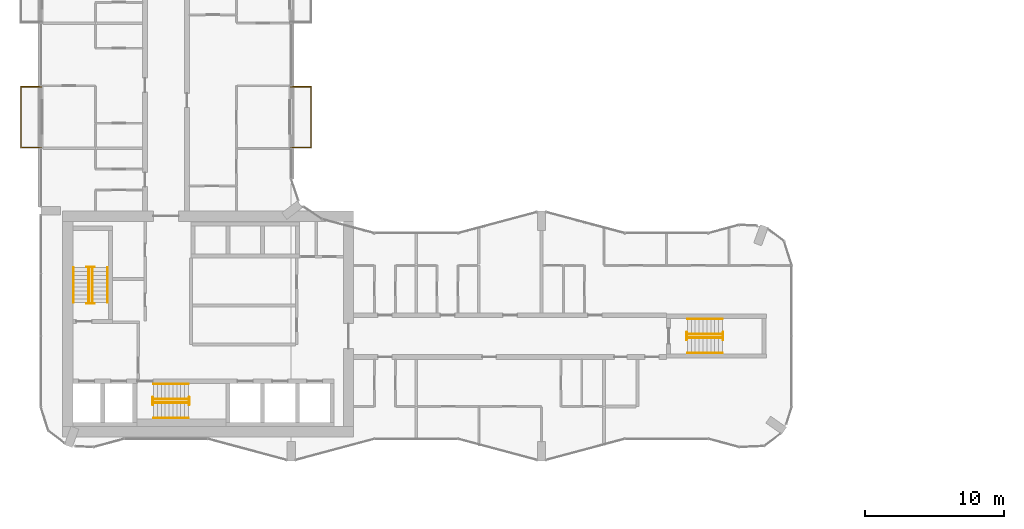
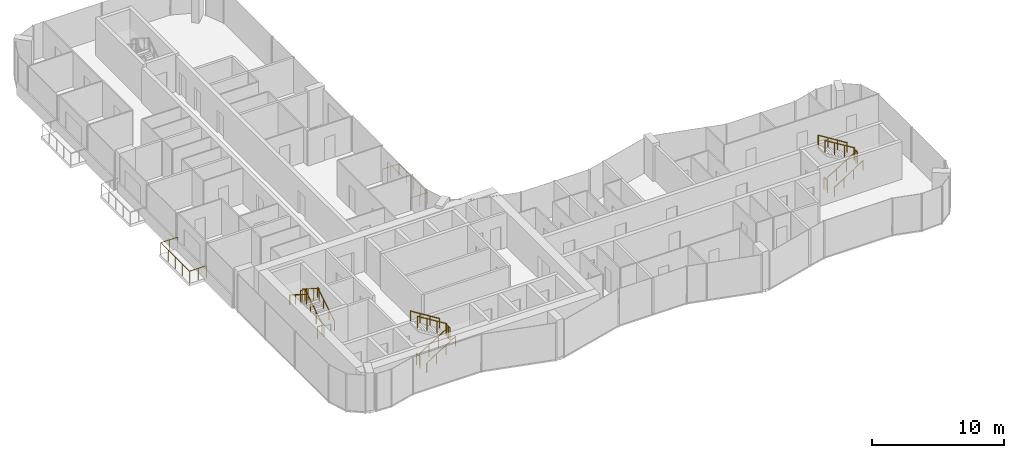
# One storey, part 21 of 23: 20 railings.
"""IFC4 building model written with IfcOpenShell, lengths in metres."""

from ifc_helpers import new_model, si_unit, direction, frame, origin, origin_2d, place, context, subcontext, project, spatial, circle, extrude, material, type_object, element, save


model = new_model("IFC4")

# Units and contexts
model_context = context("Model", 3, precision=1e-05, world=origin(), true_north=direction((0.0, 1.0)))
body_context = subcontext(model_context, "Body", "Model", "MODEL_VIEW")
ifc_project = project(units=[si_unit("LENGTHUNIT", "METRE"), si_unit("AREAUNIT", "SQUARE_METRE"), si_unit("VOLUMEUNIT", "CUBIC_METRE"), si_unit("PLANEANGLEUNIT", "RADIAN"), si_unit("MASSUNIT", "GRAM", prefix="KILO")], contexts=[model_context])

# Site, building, storey
site_placement = place(None, origin())
site = spatial("IfcSite", under=ifc_project, at=site_placement, CompositionType="ELEMENT")
building_placement = place(site_placement, origin())
building = spatial("IfcBuilding", under=site, at=building_placement, Name="Plateau Cross Towers", CompositionType="ELEMENT")
storey_placement = place(building_placement, frame((0.0, 0.0, 33.800048828125)))
storey = spatial("IfcBuildingStorey", under=building, at=storey_placement, Name="L07", CompositionType="ELEMENT", Elevation=33.800048828125)

# Railings
ifc_material_1 = material(Name="Stainless steel and toughened glass", Category="steel")
railing_type_1 = type_object("IfcRailingType", Name="Glass balustrade guard 1100", PredefinedType="GUARDRAIL", material=ifc_material_1)
railing_1_placement = place(storey_placement, frame((0.050048828125, 22.570068359375, 0.0)))
element("IfcRailing", 1, at=railing_1_placement, inside=storey, type_object=railing_type_1, Name="Guard guard1", PredefinedType="GUARDRAIL", context=body_context, shape_type="SweptSolid", body=[
    extrude(circle(Radius=0.02392578125, at=origin_2d()), frame((0.0, 0.0, 1.076171875), z_axis=(-1.0, 0.0, 0.0), x_axis=(0.0, -1.0, 0.0)), (0.0, 0.0, 1.0), 1.47998046875),
    extrude(circle(Radius=0.02392578125, at=origin_2d()), frame((-1.47998046875, 0.0, 1.076171875), z_axis=(0.0, 1.0, 0.0), x_axis=(-1.0, 0.0, 0.0)), (0.0, 0.0, 1.0), 4.35986328125),
    extrude(circle(Radius=0.02392578125, at=origin_2d()), frame((-1.47998046875, 4.35986328125, 1.076171875), z_axis=(1.0, 0.0, 0.0), x_axis=(0.0, 1.0, 0.0)), (0.0, 0.0, 1.0), 1.47998046875),
    extrude(circle(Radius=0.02099609375, at=origin_2d()), origin(), (0.0, 0.0, 1.0), 1.052001953125),
    extrude(circle(Radius=0.02099609375, at=origin_2d()), frame((-0.739990234375, 0.0, 0.0)), (0.0, 0.0, 1.0), 1.052001953125),
    extrude(circle(Radius=0.02099609375, at=origin_2d()), frame((-1.47998046875, 0.0, 0.0)), (0.0, 0.0, 1.0), 1.052001953125),
    extrude(circle(Radius=0.02099609375, at=origin_2d()), frame((-1.47998046875, 1.08984375, 0.0)), (0.0, 0.0, 1.0), 1.052001953125),
    extrude(circle(Radius=0.02099609375, at=origin_2d()), frame((-1.47998046875, 2.179931640625, 0.0)), (0.0, 0.0, 1.0), 1.052001953125),
    extrude(circle(Radius=0.02099609375, at=origin_2d()), frame((-1.47998046875, 3.27001953125, 0.0)), (0.0, 0.0, 1.0), 1.052001953125),
    extrude(circle(Radius=0.02099609375, at=origin_2d()), frame((-1.47998046875, 4.35986328125, 0.0)), (0.0, 0.0, 1.0), 1.052001953125),
    extrude(circle(Radius=0.02099609375, at=origin_2d()), frame((-0.739990234375, 4.35986328125, 0.0)), (0.0, 0.0, 1.0), 1.052001953125),
    extrude(circle(Radius=0.02099609375, at=origin_2d()), frame((0.0, 4.35986328125, 0.0)), (0.0, 0.0, 1.0), 1.052001953125),
])
railing_2_placement = place(storey_placement, frame((17.949951171875, 26.929931640625, 0.0)))
element("IfcRailing", 2, at=railing_2_placement, inside=storey, type_object=railing_type_1, Name="Guard guard1", PredefinedType="GUARDRAIL", context=body_context, shape_type="SweptSolid", body=[
    extrude(circle(Radius=0.02392578125, at=origin_2d()), frame((0.0, 0.0, 1.076171875), z_axis=(1.0, 0.0, 0.0), x_axis=(0.0, 1.0, 0.0)), (0.0, 0.0, 1.0), 1.47998046875),
    extrude(circle(Radius=0.02392578125, at=origin_2d()), frame((1.47998046875, 0.0, 1.076171875), z_axis=(0.0, -1.0, 0.0), x_axis=(1.0, 0.0, 0.0)), (0.0, 0.0, 1.0), 4.35986328125),
    extrude(circle(Radius=0.02392578125, at=origin_2d()), frame((1.47998046875, -4.35986328125, 1.076171875), z_axis=(-1.0, 0.0, 0.0), x_axis=(0.0, -1.0, 0.0)), (0.0, 0.0, 1.0), 1.47998046875),
    extrude(circle(Radius=0.02099609375, at=origin_2d()), origin(), (0.0, 0.0, 1.0), 1.052001953125),
    extrude(circle(Radius=0.02099609375, at=origin_2d()), frame((0.739990234375, 0.0, 0.0)), (0.0, 0.0, 1.0), 1.052001953125),
    extrude(circle(Radius=0.02099609375, at=origin_2d()), frame((1.47998046875, 0.0, 0.0)), (0.0, 0.0, 1.0), 1.052001953125),
    extrude(circle(Radius=0.02099609375, at=origin_2d()), frame((1.47998046875, -1.08984375, 0.0)), (0.0, 0.0, 1.0), 1.052001953125),
    extrude(circle(Radius=0.02099609375, at=origin_2d()), frame((1.47998046875, -2.179931640625, 0.0)), (0.0, 0.0, 1.0), 1.052001953125),
    extrude(circle(Radius=0.02099609375, at=origin_2d()), frame((1.47998046875, -3.27001953125, 0.0)), (0.0, 0.0, 1.0), 1.052001953125),
    extrude(circle(Radius=0.02099609375, at=origin_2d()), frame((1.47998046875, -4.35986328125, 0.0)), (0.0, 0.0, 1.0), 1.052001953125),
    extrude(circle(Radius=0.02099609375, at=origin_2d()), frame((0.739990234375, -4.35986328125, 0.0)), (0.0, 0.0, 1.0), 1.052001953125),
    extrude(circle(Radius=0.02099609375, at=origin_2d()), frame((0.0, -4.35986328125, 0.0)), (0.0, 0.0, 1.0), 1.052001953125),
])
railing_type_2 = type_object("IfcRailingType", Name="RL-GUARD-1100", PredefinedType="GUARDRAIL", material=ifc_material_1)
railing_3_placement = place(storey_placement, frame((3.699951171875, 11.39990234375, 0.175048828125)))
element("IfcRailing", 3, at=railing_3_placement, inside=storey, type_object=railing_type_2, Name="L07 ST-1 stair guard 1", PredefinedType="GUARDRAIL", context=body_context, shape_type="SweptSolid", body=[
    extrude(circle(Radius=0.02392578125, at=origin_2d()), frame((0.0, 0.0, 1.076171875), z_axis=(0.0, 0.848007534815, 0.529984170421), x_axis=(-1.0, 0.0, 0.0)), (0.0, 0.0, 1.0), 2.9716796875),
    extrude(circle(Radius=0.02099609375, at=origin_2d()), origin(), (0.0, 0.0, 1.0), 1.052001953125),
    extrude(circle(Radius=0.02099609375, at=origin_2d()), frame((0.0, 0.840087890625, 0.52490234375)), (0.0, 0.0, 1.0), 1.052001953125),
    extrude(circle(Radius=0.02099609375, at=origin_2d()), frame((0.0, 1.679931640625, 1.050048828125)), (0.0, 0.0, 1.0), 1.052001953125),
    extrude(circle(Radius=0.02099609375, at=origin_2d()), frame((0.0, 2.52001953125, 1.574951171875)), (0.0, 0.0, 1.0), 1.052001953125),
])
railing_4_placement = place(storey_placement, frame((3.85009765625, 13.969970703125, 1.75)))
element("IfcRailing", 4, at=railing_4_placement, inside=storey, type_object=railing_type_2, Name="L07 ST-1 stair guard 2", PredefinedType="GUARDRAIL", context=body_context, shape_type="SweptSolid", body=[
    extrude(circle(Radius=0.02392578125, at=origin_2d()), frame((0.0, 0.0, 1.076171875), z_axis=(-1.0, 0.0, 0.0), x_axis=(0.0, -1.0, 0.0)), (0.0, 0.0, 1.0), 0.550048828125),
    extrude(circle(Radius=0.02099609375, at=origin_2d()), origin(), (0.0, 0.0, 1.0), 1.052001953125),
    extrude(circle(Radius=0.02099609375, at=origin_2d()), frame((-0.550048828125, 0.0, 0.0)), (0.0, 0.0, 1.0), 1.052001953125),
])
railing_5_placement = place(storey_placement, frame((3.449951171875, 13.919921875, 1.925048828125)))
element("IfcRailing", 5, at=railing_5_placement, inside=storey, type_object=railing_type_2, Name="L07 ST-1 stair guard 3", PredefinedType="GUARDRAIL", context=body_context, shape_type="SweptSolid", body=[
    extrude(circle(Radius=0.02392578125, at=origin_2d()), frame((0.0, 0.0, 1.076171875), z_axis=(0.0, -0.852616386126, 0.522537365276), x_axis=(1.0, 0.0, 0.0)), (0.0, 0.0, 1.0), 3.01416015625),
    extrude(circle(Radius=0.02099609375, at=origin_2d()), origin(), (0.0, 0.0, 1.0), 1.052001953125),
    extrude(circle(Radius=0.02099609375, at=origin_2d()), frame((0.0, -0.856689453125, 0.52490234375)), (0.0, 0.0, 1.0), 1.052001953125),
    extrude(circle(Radius=0.02099609375, at=origin_2d()), frame((0.0, -1.713134765625, 1.050048828125)), (0.0, 0.0, 1.0), 1.052001953125),
    extrude(circle(Radius=0.02099609375, at=origin_2d()), frame((0.0, -2.56982421875, 1.574951171875)), (0.0, 0.0, 1.0), 1.052001953125),
])
railing_6_placement = place(storey_placement, frame((3.85009765625, 11.35009765625, 0.0)))
element("IfcRailing", 6, at=railing_6_placement, inside=storey, type_object=railing_type_2, Name="L07 ST-1 stair guard 4", PredefinedType="GUARDRAIL", context=body_context, shape_type="SweptSolid", body=[
    extrude(circle(Radius=0.02392578125, at=origin_2d()), frame((0.0, 0.0, 1.076171875), z_axis=(-1.0, 0.0, 0.0), x_axis=(0.0, -1.0, 0.0)), (0.0, 0.0, 1.0), 0.550048828125),
    extrude(circle(Radius=0.02099609375, at=origin_2d()), origin(), (0.0, 0.0, 1.0), 1.052001953125),
    extrude(circle(Radius=0.02099609375, at=origin_2d()), frame((-0.550048828125, 0.0, 0.0)), (0.0, 0.0, 1.0), 1.052001953125),
])
railing_7_placement = place(storey_placement, frame((8.10009765625, 4.199951171875, 0.175048828125)))
element("IfcRailing", 7, at=railing_7_placement, inside=storey, type_object=railing_type_2, Name="L07 ST-2 stair guard 1", PredefinedType="GUARDRAIL", context=body_context, shape_type="SweptSolid", body=[
    extrude(circle(Radius=0.02392578125, at=origin_2d()), frame((0.0, 0.0, 1.076171875), z_axis=(0.848007534815, 0.0, 0.529984170421), x_axis=(0.0, 1.0, 0.0)), (0.0, 0.0, 1.0), 2.9716796875),
    extrude(circle(Radius=0.02099609375, at=origin_2d()), origin(), (0.0, 0.0, 1.0), 1.052001953125),
    extrude(circle(Radius=0.02099609375, at=origin_2d()), frame((0.840087890625, 0.0, 0.52490234375)), (0.0, 0.0, 1.0), 1.052001953125),
    extrude(circle(Radius=0.02099609375, at=origin_2d()), frame((1.679931640625, 0.0, 1.050048828125)), (0.0, 0.0, 1.0), 1.052001953125),
    extrude(circle(Radius=0.02099609375, at=origin_2d()), frame((2.52001953125, 0.0, 1.574951171875)), (0.0, 0.0, 1.0), 1.052001953125),
])
railing_8_placement = place(storey_placement, frame((10.669921875, 4.050048828125, 1.75)))
element("IfcRailing", 8, at=railing_8_placement, inside=storey, type_object=railing_type_2, Name="L07 ST-2 stair guard 2", PredefinedType="GUARDRAIL", context=body_context, shape_type="SweptSolid", body=[
    extrude(circle(Radius=0.02392578125, at=origin_2d()), frame((0.0, 0.0, 1.076171875), z_axis=(0.0, 1.0, 0.0), x_axis=(-1.0, 0.0, 0.0)), (0.0, 0.0, 1.0), 0.550048828125),
    extrude(circle(Radius=0.02099609375, at=origin_2d()), origin(), (0.0, 0.0, 1.0), 1.052001953125),
    extrude(circle(Radius=0.02099609375, at=origin_2d()), frame((0.0, 0.550048828125, 0.0)), (0.0, 0.0, 1.0), 1.052001953125),
])
railing_9_placement = place(storey_placement, frame((10.6201171875, 4.449951171875, 1.925048828125)))
element("IfcRailing", 9, at=railing_9_placement, inside=storey, type_object=railing_type_2, Name="L07 ST-2 stair guard 3", PredefinedType="GUARDRAIL", context=body_context, shape_type="SweptSolid", body=[
    extrude(circle(Radius=0.02392578125, at=origin_2d()), frame((0.0, 0.0, 1.076171875), z_axis=(-0.852638500773, 0.0, 0.522501279423), x_axis=(0.0, -1.0, 0.0)), (0.0, 0.0, 1.0), 3.01416015625),
    extrude(circle(Radius=0.02099609375, at=origin_2d()), origin(), (0.0, 0.0, 1.0), 1.052001953125),
    extrude(circle(Radius=0.02099609375, at=origin_2d()), frame((-0.856689453125, 0.0, 0.52490234375)), (0.0, 0.0, 1.0), 1.052001953125),
    extrude(circle(Radius=0.02099609375, at=origin_2d()), frame((-1.71337890625, 0.0, 1.050048828125)), (0.0, 0.0, 1.0), 1.052001953125),
    extrude(circle(Radius=0.02099609375, at=origin_2d()), frame((-2.570068359375, 0.0, 1.574951171875)), (0.0, 0.0, 1.0), 1.052001953125),
])
railing_10_placement = place(storey_placement, frame((8.050048828125, 4.050048828125, 0.0)))
element("IfcRailing", 10, at=railing_10_placement, inside=storey, type_object=railing_type_2, Name="L07 ST-2 stair guard 4", PredefinedType="GUARDRAIL", context=body_context, shape_type="SweptSolid", body=[
    extrude(circle(Radius=0.02392578125, at=origin_2d()), frame((0.0, 0.0, 1.076171875), z_axis=(0.0, 1.0, 0.0), x_axis=(-1.0, 0.0, 0.0)), (0.0, 0.0, 1.0), 0.550048828125),
    extrude(circle(Radius=0.02099609375, at=origin_2d()), origin(), (0.0, 0.0, 1.0), 1.052001953125),
    extrude(circle(Radius=0.02099609375, at=origin_2d()), frame((0.0, 0.550048828125, 0.0)), (0.0, 0.0, 1.0), 1.052001953125),
])
railing_11_placement = place(storey_placement, frame((46.5, 8.875, 0.175048828125)))
element("IfcRailing", 11, at=railing_11_placement, inside=storey, type_object=railing_type_2, Name="L07 ES-E stair guard 1", PredefinedType="GUARDRAIL", context=body_context, shape_type="SweptSolid", body=[
    extrude(circle(Radius=0.02392578125, at=origin_2d()), frame((0.0, 0.0, 1.076171875), z_axis=(0.848007534815, 0.0, 0.529984170421), x_axis=(0.0, 1.0, 0.0)), (0.0, 0.0, 1.0), 2.9716796875),
    extrude(circle(Radius=0.02099609375, at=origin_2d()), origin(), (0.0, 0.0, 1.0), 1.052001953125),
    extrude(circle(Radius=0.02099609375, at=origin_2d()), frame((0.840087890625, 0.0, 0.52490234375)), (0.0, 0.0, 1.0), 1.052001953125),
    extrude(circle(Radius=0.02099609375, at=origin_2d()), frame((1.679931640625, 0.0, 1.050048828125)), (0.0, 0.0, 1.0), 1.052001953125),
    extrude(circle(Radius=0.02099609375, at=origin_2d()), frame((2.52001953125, 0.0, 1.574951171875)), (0.0, 0.0, 1.0), 1.052001953125),
])
railing_12_placement = place(storey_placement, frame((49.070068359375, 8.72509765625, 1.75)))
element("IfcRailing", 12, at=railing_12_placement, inside=storey, type_object=railing_type_2, Name="L07 ES-E stair guard 2", PredefinedType="GUARDRAIL", context=body_context, shape_type="SweptSolid", body=[
    extrude(circle(Radius=0.02392578125, at=origin_2d()), frame((0.0, 0.0, 1.076171875), z_axis=(0.0, 1.0, 0.0), x_axis=(-1.0, 0.0, 0.0)), (0.0, 0.0, 1.0), 0.5498046875),
    extrude(circle(Radius=0.02099609375, at=origin_2d()), origin(), (0.0, 0.0, 1.0), 1.052001953125),
    extrude(circle(Radius=0.02099609375, at=origin_2d()), frame((0.0, 0.5498046875, 0.0)), (0.0, 0.0, 1.0), 1.052001953125),
])
railing_13_placement = place(storey_placement, frame((49.02001953125, 9.125, 1.925048828125)))
element("IfcRailing", 13, at=railing_13_placement, inside=storey, type_object=railing_type_2, Name="L07 ES-E stair guard 3", PredefinedType="GUARDRAIL", context=body_context, shape_type="SweptSolid", body=[
    extrude(circle(Radius=0.02392578125, at=origin_2d()), frame((0.0, 0.0, 1.076171875), z_axis=(-0.852638500773, 0.0, 0.522501279423), x_axis=(0.0, -1.0, 0.0)), (0.0, 0.0, 1.0), 3.01416015625),
    extrude(circle(Radius=0.02099609375, at=origin_2d()), origin(), (0.0, 0.0, 1.0), 1.052001953125),
    extrude(circle(Radius=0.02099609375, at=origin_2d()), frame((-0.856689453125, 0.0, 0.52490234375)), (0.0, 0.0, 1.0), 1.052001953125),
    extrude(circle(Radius=0.02099609375, at=origin_2d()), frame((-1.71337890625, 0.0, 1.050048828125)), (0.0, 0.0, 1.0), 1.052001953125),
    extrude(circle(Radius=0.02099609375, at=origin_2d()), frame((-2.570068359375, 0.0, 1.574951171875)), (0.0, 0.0, 1.0), 1.052001953125),
])
railing_14_placement = place(storey_placement, frame((46.449951171875, 8.72509765625, 0.0)))
element("IfcRailing", 14, at=railing_14_placement, inside=storey, type_object=railing_type_2, Name="L07 ES-E stair guard 4", PredefinedType="GUARDRAIL", context=body_context, shape_type="SweptSolid", body=[
    extrude(circle(Radius=0.02392578125, at=origin_2d()), frame((0.0, 0.0, 1.076171875), z_axis=(0.0, 1.0, 0.0), x_axis=(-1.0, 0.0, 0.0)), (0.0, 0.0, 1.0), 0.5498046875),
    extrude(circle(Radius=0.02099609375, at=origin_2d()), origin(), (0.0, 0.0, 1.0), 1.052001953125),
    extrude(circle(Radius=0.02099609375, at=origin_2d()), frame((0.0, 0.5498046875, 0.0)), (0.0, 0.0, 1.0), 1.052001953125),
])
ifc_material_2 = material(Name="Black anodised aluminium", Category="aluminium")
railing_type_3 = type_object("IfcRailingType", Name="RL-HANDRAIL-900", PredefinedType="HANDRAIL", material=ifc_material_2)
railing_15_placement = place(storey_placement, frame((4.800048828125, 11.39990234375, 0.175048828125)))
element("IfcRailing", 15, at=railing_15_placement, inside=storey, type_object=railing_type_3, Name="L07 ST-1 stair handrail 1", PredefinedType="HANDRAIL", context=body_context, shape_type="SweptSolid", body=[
    extrude(circle(Radius=0.02392578125, at=origin_2d()), frame((0.0, 0.0, 0.8759765625), z_axis=(0.0, 0.848007534815, 0.529984170421), x_axis=(-1.0, 0.0, 0.0)), (0.0, 0.0, 1.0), 2.9716796875),
    extrude(circle(Radius=0.02099609375, at=origin_2d()), origin(), (0.0, 0.0, 1.0), 0.851806640625),
    extrude(circle(Radius=0.02099609375, at=origin_2d()), frame((0.0, 0.840087890625, 0.52490234375)), (0.0, 0.0, 1.0), 0.851806640625),
    extrude(circle(Radius=0.02099609375, at=origin_2d()), frame((0.0, 1.679931640625, 1.050048828125)), (0.0, 0.0, 1.0), 0.851806640625),
    extrude(circle(Radius=0.02099609375, at=origin_2d()), frame((0.0, 2.52001953125, 1.574951171875)), (0.0, 0.0, 1.0), 0.851806640625),
])
railing_16_placement = place(storey_placement, frame((2.35009765625, 13.919921875, 1.925048828125)))
element("IfcRailing", 16, at=railing_16_placement, inside=storey, type_object=railing_type_3, Name="L07 ST-1 stair handrail 2", PredefinedType="HANDRAIL", context=body_context, shape_type="SweptSolid", body=[
    extrude(circle(Radius=0.02392578125, at=origin_2d()), frame((0.0, 0.0, 0.8759765625), z_axis=(0.0, -0.848007534815, 0.529984170421), x_axis=(1.0, 0.0, 0.0)), (0.0, 0.0, 1.0), 2.9716796875),
    extrude(circle(Radius=0.02099609375, at=origin_2d()), origin(), (0.0, 0.0, 1.0), 0.851806640625),
    extrude(circle(Radius=0.02099609375, at=origin_2d()), frame((0.0, -0.840087890625, 0.52490234375)), (0.0, 0.0, 1.0), 0.851806640625),
    extrude(circle(Radius=0.02099609375, at=origin_2d()), frame((0.0, -1.679931640625, 1.050048828125)), (0.0, 0.0, 1.0), 0.851806640625),
    extrude(circle(Radius=0.02099609375, at=origin_2d()), frame((0.0, -2.52001953125, 1.574951171875)), (0.0, 0.0, 1.0), 0.851806640625),
])
railing_17_placement = place(storey_placement, frame((8.10009765625, 3.10009765625, 0.175048828125)))
element("IfcRailing", 17, at=railing_17_placement, inside=storey, type_object=railing_type_3, Name="L07 ST-2 stair handrail 1", PredefinedType="HANDRAIL", context=body_context, shape_type="SweptSolid", body=[
    extrude(circle(Radius=0.02392578125, at=origin_2d()), frame((0.0, 0.0, 0.8759765625), z_axis=(0.848007534815, 0.0, 0.529984170421), x_axis=(0.0, 1.0, 0.0)), (0.0, 0.0, 1.0), 2.9716796875),
    extrude(circle(Radius=0.02099609375, at=origin_2d()), origin(), (0.0, 0.0, 1.0), 0.851806640625),
    extrude(circle(Radius=0.02099609375, at=origin_2d()), frame((0.840087890625, 0.0, 0.52490234375)), (0.0, 0.0, 1.0), 0.851806640625),
    extrude(circle(Radius=0.02099609375, at=origin_2d()), frame((1.679931640625, 0.0, 1.050048828125)), (0.0, 0.0, 1.0), 0.851806640625),
    extrude(circle(Radius=0.02099609375, at=origin_2d()), frame((2.52001953125, 0.0, 1.574951171875)), (0.0, 0.0, 1.0), 0.851806640625),
])
railing_18_placement = place(storey_placement, frame((10.6201171875, 5.550048828125, 1.925048828125)))
element("IfcRailing", 18, at=railing_18_placement, inside=storey, type_object=railing_type_3, Name="L07 ST-2 stair handrail 2", PredefinedType="HANDRAIL", context=body_context, shape_type="SweptSolid", body=[
    extrude(circle(Radius=0.02392578125, at=origin_2d()), frame((0.0, 0.0, 0.8759765625), z_axis=(-0.848007534815, 0.0, 0.529984170421), x_axis=(0.0, -1.0, 0.0)), (0.0, 0.0, 1.0), 2.9716796875),
    extrude(circle(Radius=0.02099609375, at=origin_2d()), origin(), (0.0, 0.0, 1.0), 0.851806640625),
    extrude(circle(Radius=0.02099609375, at=origin_2d()), frame((-0.840087890625, 0.0, 0.52490234375)), (0.0, 0.0, 1.0), 0.851806640625),
    extrude(circle(Radius=0.02099609375, at=origin_2d()), frame((-1.679931640625, 0.0, 1.050048828125)), (0.0, 0.0, 1.0), 0.851806640625),
    extrude(circle(Radius=0.02099609375, at=origin_2d()), frame((-2.52001953125, 0.0, 1.574951171875)), (0.0, 0.0, 1.0), 0.851806640625),
])
railing_19_placement = place(storey_placement, frame((46.5, 7.77490234375, 0.175048828125)))
element("IfcRailing", 19, at=railing_19_placement, inside=storey, type_object=railing_type_3, Name="L07 ES-E stair handrail 1", PredefinedType="HANDRAIL", context=body_context, shape_type="SweptSolid", body=[
    extrude(circle(Radius=0.02392578125, at=origin_2d()), frame((0.0, 0.0, 0.8759765625), z_axis=(0.848007534815, 0.0, 0.529984170421), x_axis=(0.0, 1.0, 0.0)), (0.0, 0.0, 1.0), 2.9716796875),
    extrude(circle(Radius=0.02099609375, at=origin_2d()), origin(), (0.0, 0.0, 1.0), 0.851806640625),
    extrude(circle(Radius=0.02099609375, at=origin_2d()), frame((0.840087890625, 0.0, 0.52490234375)), (0.0, 0.0, 1.0), 0.851806640625),
    extrude(circle(Radius=0.02099609375, at=origin_2d()), frame((1.679931640625, 0.0, 1.050048828125)), (0.0, 0.0, 1.0), 0.851806640625),
    extrude(circle(Radius=0.02099609375, at=origin_2d()), frame((2.52001953125, 0.0, 1.574951171875)), (0.0, 0.0, 1.0), 0.851806640625),
])
railing_20_placement = place(storey_placement, frame((49.02001953125, 10.22509765625, 1.925048828125)))
element("IfcRailing", 20, at=railing_20_placement, inside=storey, type_object=railing_type_3, Name="L07 ES-E stair handrail 2", PredefinedType="HANDRAIL", context=body_context, shape_type="SweptSolid", body=[
    extrude(circle(Radius=0.02392578125, at=origin_2d()), frame((0.0, 0.0, 0.8759765625), z_axis=(-0.848007534815, 0.0, 0.529984170421), x_axis=(0.0, -1.0, 0.0)), (0.0, 0.0, 1.0), 2.9716796875),
    extrude(circle(Radius=0.02099609375, at=origin_2d()), origin(), (0.0, 0.0, 1.0), 0.851806640625),
    extrude(circle(Radius=0.02099609375, at=origin_2d()), frame((-0.840087890625, 0.0, 0.52490234375)), (0.0, 0.0, 1.0), 0.851806640625),
    extrude(circle(Radius=0.02099609375, at=origin_2d()), frame((-1.679931640625, 0.0, 1.050048828125)), (0.0, 0.0, 1.0), 0.851806640625),
    extrude(circle(Radius=0.02099609375, at=origin_2d()), frame((-2.52001953125, 0.0, 1.574951171875)), (0.0, 0.0, 1.0), 0.851806640625),
])

save(model, "model.ifc")
